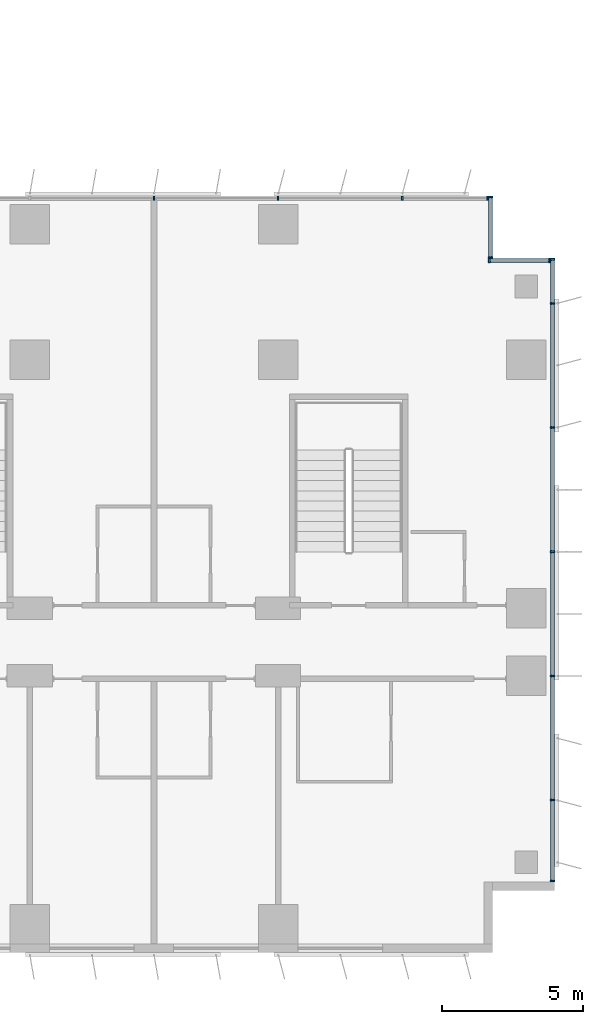
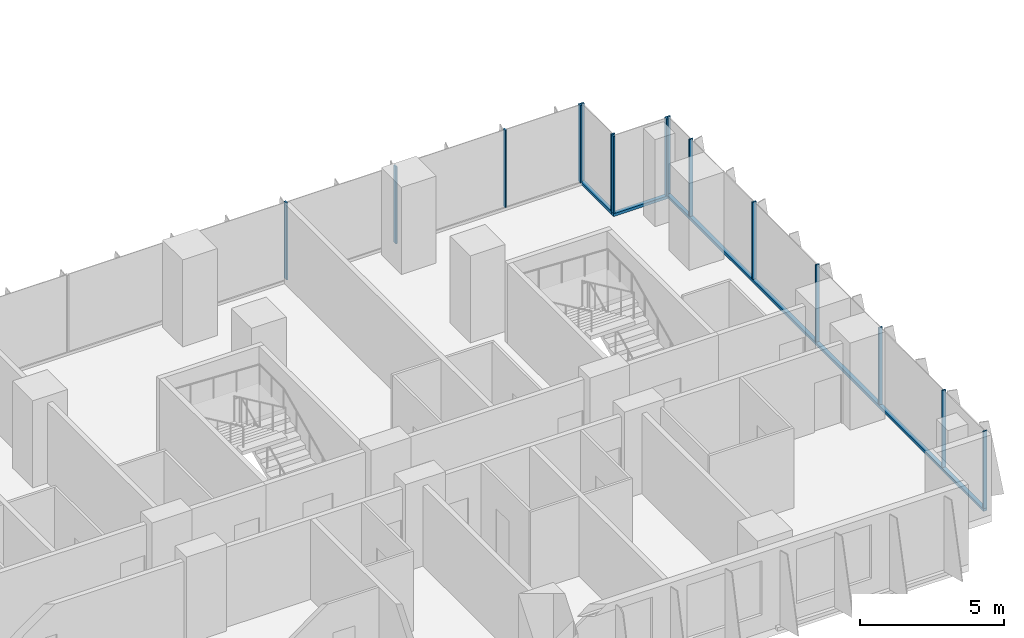
# One storey, part 8 of 24: 18 members, 4 elements without a shape of their own.
"""IFC4 building model written with IfcOpenShell, lengths in metres."""

from ifc_helpers import new_model, si_unit, direction, frame, origin, origin_2d, place, context, subcontext, project, spatial, rectangle, extrude, source, transform, mapped, material, material_profile, profile_set, type_object, element, aggregate, save


model = new_model("IFC4")

# Units and contexts
model_context = context("Model", 3, precision=1e-05, world=origin(), true_north=direction((0.0, 1.0)))
body_context = subcontext(model_context, "Body", "Model", "MODEL_VIEW")
ifc_project = project(units=[si_unit("LENGTHUNIT", "METRE"), si_unit("AREAUNIT", "SQUARE_METRE"), si_unit("VOLUMEUNIT", "CUBIC_METRE"), si_unit("PLANEANGLEUNIT", "RADIAN"), si_unit("MASSUNIT", "GRAM", prefix="KILO")], contexts=[model_context])

# Site, building, storey
site_placement = place(None, origin())
site = spatial("IfcSite", under=ifc_project, at=site_placement, CompositionType="ELEMENT")
building_placement = place(site_placement, origin())
building = spatial("IfcBuilding", under=site, at=building_placement, Name="Kemantara Hotel Tower", CompositionType="ELEMENT")
storey_placement = place(building_placement, frame((0.0, 0.0, 48.800048828125)))
storey = spatial("IfcBuildingStorey", under=building, at=storey_placement, Name="L10", CompositionType="ELEMENT", Elevation=48.800048828125)

# Curtain wall, member
ifc_material_1 = material(Name="Low-E tinted double insulated glass 36 mm", Category="glass")
curtain_wall_type = type_object("IfcCurtainWallType", Name="TOWER CURTAIN WALL, FRONT FACES", PredefinedType="USERDEFINED", material=ifc_material_1)
curtain_wall_1_placement = place(storey_placement, origin())
curtain_wall_1 = element("IfcCurtainWall", 1, at=curtain_wall_1_placement, inside=storey, type_object=curtain_wall_type, Name="CW4 L10 T1-R04-1", ObjectType="TOWER CURTAIN WALL, FRONT FACES", PredefinedType="USERDEFINED")
ifc_material_2 = material(Name="Aluminium 6063-T6 bronze anodised", Category="aluminium")
ifc_material_profile_1 = material_profile(ifc_material_2, rectangle(XDim=0.14990234375, YDim=0.1201171875, at=origin_2d()), Name="TOWER CURTAIN WALL, FRONT FACES TRANSOM")
ifc_profile_set_1 = profile_set([ifc_material_profile_1], Name="Aluminium 6063-T6 bronze anodised")
member_type_1 = type_object("IfcMemberType", Name="TOWER CURTAIN WALL, FRONT FACES TRANSOM", PredefinedType="USERDEFINED", material=ifc_profile_set_1)
member_1_placement = place(storey_placement, frame((81.125, 2.5, 0.06005859375), z_axis=(0.0, 1.0, 0.0), x_axis=(-1.0, 0.0, 0.0)))
member_1 = element("IfcMember", 2, at=member_1_placement, type_object=member_type_1, Name="CW4 sill transom T1-R04-1", ObjectType="TRANSOM", PredefinedType="USERDEFINED", context=body_context, shape_type="SweptSolid", body=[
    extrude(rectangle(XDim=0.14990234375, YDim=0.1201171875, at=origin_2d()), origin(), (0.0, 0.0, 1.0), 22.10009765625),
])

curtain_wall_2_placement = place(storey_placement, origin())
curtain_wall_2 = element("IfcCurtainWall", 3, at=curtain_wall_2_placement, inside=storey, type_object=curtain_wall_type, Name="CW4 L10 T1-R05-1", ObjectType="TOWER CURTAIN WALL, FRONT FACES", PredefinedType="USERDEFINED")
member_2_placement = place(storey_placement, frame((81.050048828125, 24.52490234375, 0.06005859375), z_axis=(-1.0, 0.0, 0.0), x_axis=(0.0, -1.0, 0.0)))
member_2 = element("IfcMember", 4, at=member_2_placement, type_object=member_type_1, Name="CW4 sill transom T1-R05-1", ObjectType="TRANSOM", PredefinedType="USERDEFINED", context=body_context, shape_type="SweptSolid", body=[
    extrude(rectangle(XDim=0.14990234375, YDim=0.1201171875, at=origin_2d()), origin(), (0.0, 0.0, 1.0), 2.199951171875),
])

curtain_wall_3_placement = place(storey_placement, origin())
curtain_wall_3 = element("IfcCurtainWall", 5, at=curtain_wall_3_placement, inside=storey, type_object=curtain_wall_type, Name="CW4 L10 T1-R06-1", ObjectType="TOWER CURTAIN WALL, FRONT FACES", PredefinedType="USERDEFINED")
member_3_placement = place(storey_placement, frame((78.925048828125, 24.60009765625, 0.06005859375), z_axis=(0.0, 1.0, 0.0), x_axis=(-1.0, 0.0, 0.0)))
member_3 = element("IfcMember", 6, at=member_3_placement, type_object=member_type_1, Name="CW4 sill transom T1-R06-1", ObjectType="TRANSOM", PredefinedType="USERDEFINED", context=body_context, shape_type="SweptSolid", body=[
    extrude(rectangle(XDim=0.14990234375, YDim=0.1201171875, at=origin_2d()), origin(), (0.0, 0.0, 1.0), 2.199951171875),
])

# Member
ifc_material_profile_2 = material_profile(ifc_material_2, rectangle(XDim=0.14990234375, YDim=0.06005859375, at=origin_2d()), Name="TOWER CURTAIN WALL, FRONT FACES MULLION")
ifc_profile_set_2 = profile_set([ifc_material_profile_2], Name="Aluminium 6063-T6 bronze anodised")
member_type_2 = type_object("IfcMemberType", Name="TOWER CURTAIN WALL, FRONT FACES MULLION", PredefinedType="MULLION", material=ifc_profile_set_2)
shared_shape = source(origin(), body_context, "Body", "SweptSolid", [
    extrude(rectangle(XDim=0.14990234375, YDim=0.06005859375, at=origin_2d()), origin(), (0.0, 0.0, 1.0), 3.280029296875),
])
member_4_placement = place(storey_placement, frame((81.125, 2.530029296875, 0.119873046875), z_axis=(0.0, 0.0, 1.0), x_axis=(-1.0, 0.0, 0.0)))
member_4 = element("IfcMember", 7, at=member_4_placement, type_object=member_type_2, Name="CW4 mullion T1-R04-1.1", PredefinedType="MULLION", context=body_context, shape_type="MappedRepresentation", body=[
    mapped(shared_shape, transform((0.0, 0.0, 0.0))),
])

member_5_placement = place(storey_placement, frame((81.125, 5.39990234375, 0.119873046875), z_axis=(0.0, 0.0, 1.0), x_axis=(-1.0, 0.0, 0.0)))
member_5 = element("IfcMember", 8, at=member_5_placement, type_object=member_type_2, Name="CW4 mullion T1-R04-1.2", PredefinedType="MULLION", context=body_context, shape_type="MappedRepresentation", body=[
    mapped(shared_shape, transform((0.0, 0.0, 0.0))),
])

member_6_placement = place(storey_placement, frame((81.125, 9.800048828125, 0.119873046875), z_axis=(0.0, 0.0, 1.0), x_axis=(-1.0, 0.0, 0.0)))
member_6 = element("IfcMember", 9, at=member_6_placement, type_object=member_type_2, Name="CW4 mullion T1-R04-1.3", PredefinedType="MULLION", context=body_context, shape_type="MappedRepresentation", body=[
    mapped(shared_shape, transform((0.0, 0.0, 0.0))),
])

member_7_placement = place(storey_placement, frame((81.125, 14.199951171875, 0.119873046875), z_axis=(0.0, 0.0, 1.0), x_axis=(-1.0, 0.0, 0.0)))
member_7 = element("IfcMember", 10, at=member_7_placement, type_object=member_type_2, Name="CW4 mullion T1-R04-1.4", PredefinedType="MULLION", context=body_context, shape_type="MappedRepresentation", body=[
    mapped(shared_shape, transform((0.0, 0.0, 0.0))),
])

member_8_placement = place(storey_placement, frame((81.125, 18.60009765625, 0.119873046875), z_axis=(0.0, 0.0, 1.0), x_axis=(-1.0, 0.0, 0.0)))
member_8 = element("IfcMember", 11, at=member_8_placement, type_object=member_type_2, Name="CW4 mullion T1-R04-1.5", PredefinedType="MULLION", context=body_context, shape_type="MappedRepresentation", body=[
    mapped(shared_shape, transform((0.0, 0.0, 0.0))),
])

member_9_placement = place(storey_placement, frame((81.125, 23.0, 0.119873046875), z_axis=(0.0, 0.0, 1.0), x_axis=(-1.0, 0.0, 0.0)))
member_9 = element("IfcMember", 12, at=member_9_placement, type_object=member_type_2, Name="CW4 mullion T1-R04-1.6", PredefinedType="MULLION", context=body_context, shape_type="MappedRepresentation", body=[
    mapped(shared_shape, transform((0.0, 0.0, 0.0))),
])

member_10_placement = place(storey_placement, frame((81.125, 24.570068359375, 0.119873046875), z_axis=(0.0, 0.0, 1.0), x_axis=(-1.0, 0.0, 0.0)))
member_10 = element("IfcMember", 13, at=member_10_placement, type_object=member_type_2, Name="CW4 mullion T1-R04-1.7", PredefinedType="MULLION", context=body_context, shape_type="MappedRepresentation", body=[
    mapped(shared_shape, transform((0.0, 0.0, 0.0))),
])

aggregate(curtain_wall_1, [member_1, member_4, member_5, member_6, member_7, member_8, member_9, member_10])

# Curtain wall, members
curtain_wall_4_placement = place(storey_placement, origin())
curtain_wall_4 = element("IfcCurtainWall", 14, at=curtain_wall_4_placement, inside=storey, type_object=curtain_wall_type, Name="CW4 L10 T1-R07-1", ObjectType="TOWER CURTAIN WALL, FRONT FACES", PredefinedType="USERDEFINED")
member_11_placement = place(storey_placement, frame((78.820068359375, 26.72509765625, 0.119873046875), z_axis=(0.0, 0.0, 1.0), x_axis=(0.0, -1.0, 0.0)))
member_11 = element("IfcMember", 15, at=member_11_placement, type_object=member_type_2, Name="CW4 mullion T1-R07-1.1", PredefinedType="MULLION", context=body_context, shape_type="MappedRepresentation", body=[
    mapped(shared_shape, transform((0.0, 0.0, 0.0))),
])
member_12_placement = place(storey_placement, frame((75.800048828125, 26.72509765625, 0.119873046875), z_axis=(0.0, 0.0, 1.0), x_axis=(0.0, -1.0, 0.0)))
member_12 = element("IfcMember", 16, at=member_12_placement, type_object=member_type_2, Name="CW4 mullion T1-R07-1.2", PredefinedType="MULLION", context=body_context, shape_type="MappedRepresentation", body=[
    mapped(shared_shape, transform((0.0, 0.0, 0.0))),
])
member_13_placement = place(storey_placement, frame((71.39990234375, 26.72509765625, 0.119873046875), z_axis=(0.0, 0.0, 1.0), x_axis=(0.0, -1.0, 0.0)))
member_13 = element("IfcMember", 17, at=member_13_placement, type_object=member_type_2, Name="CW4 mullion T1-R07-1.3", PredefinedType="MULLION", context=body_context, shape_type="MappedRepresentation", body=[
    mapped(shared_shape, transform((0.0, 0.0, 0.0))),
])
member_14_placement = place(storey_placement, frame((67.0, 26.72509765625, 0.119873046875), z_axis=(0.0, 0.0, 1.0), x_axis=(0.0, -1.0, 0.0)))
member_14 = element("IfcMember", 18, at=member_14_placement, type_object=member_type_2, Name="CW4 mullion T1-R07-1.4", PredefinedType="MULLION", context=body_context, shape_type="MappedRepresentation", body=[
    mapped(shared_shape, transform((0.0, 0.0, 0.0))),
])
aggregate(curtain_wall_4, [member_11, member_12, member_13, member_14])

# Member
member_15_placement = place(storey_placement, frame((81.02001953125, 24.52490234375, 0.119873046875), z_axis=(0.0, 0.0, 1.0), x_axis=(0.0, -1.0, 0.0)))
member_15 = element("IfcMember", 19, at=member_15_placement, type_object=member_type_2, Name="CW4 mullion T1-R05-1.1", PredefinedType="MULLION", context=body_context, shape_type="MappedRepresentation", body=[
    mapped(shared_shape, transform((0.0, 0.0, 0.0))),
])

member_16_placement = place(storey_placement, frame((78.8798828125, 24.52490234375, 0.119873046875), z_axis=(0.0, 0.0, 1.0), x_axis=(0.0, -1.0, 0.0)))
member_16 = element("IfcMember", 20, at=member_16_placement, type_object=member_type_2, Name="CW4 mullion T1-R05-1.2", PredefinedType="MULLION", context=body_context, shape_type="MappedRepresentation", body=[
    mapped(shared_shape, transform((0.0, 0.0, 0.0))),
])

aggregate(curtain_wall_2, [member_2, member_15, member_16])

member_17_placement = place(storey_placement, frame((78.925048828125, 24.6298828125, 0.119873046875), z_axis=(0.0, 0.0, 1.0), x_axis=(-1.0, 0.0, 0.0)))
member_17 = element("IfcMember", 21, at=member_17_placement, type_object=member_type_2, Name="CW4 mullion T1-R06-1.1", PredefinedType="MULLION", context=body_context, shape_type="MappedRepresentation", body=[
    mapped(shared_shape, transform((0.0, 0.0, 0.0))),
])

member_18_placement = place(storey_placement, frame((78.925048828125, 26.77001953125, 0.119873046875), z_axis=(0.0, 0.0, 1.0), x_axis=(-1.0, 0.0, 0.0)))
member_18 = element("IfcMember", 22, at=member_18_placement, type_object=member_type_2, Name="CW4 mullion T1-R06-1.2", PredefinedType="MULLION", context=body_context, shape_type="MappedRepresentation", body=[
    mapped(shared_shape, transform((0.0, 0.0, 0.0))),
])

aggregate(curtain_wall_3, [member_3, member_17, member_18])

save(model, "model.ifc")
